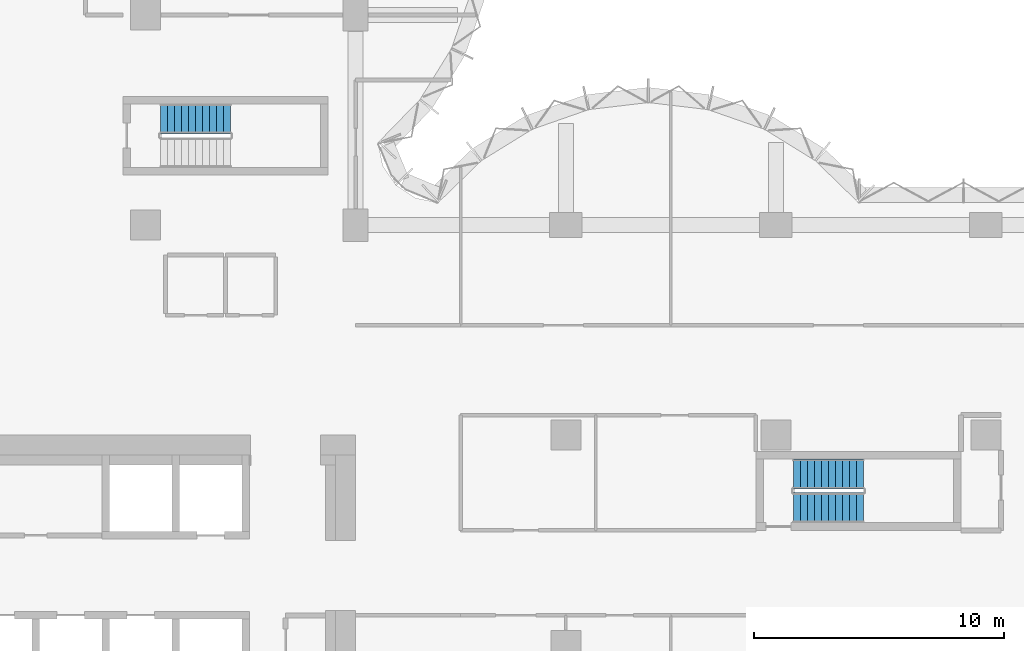
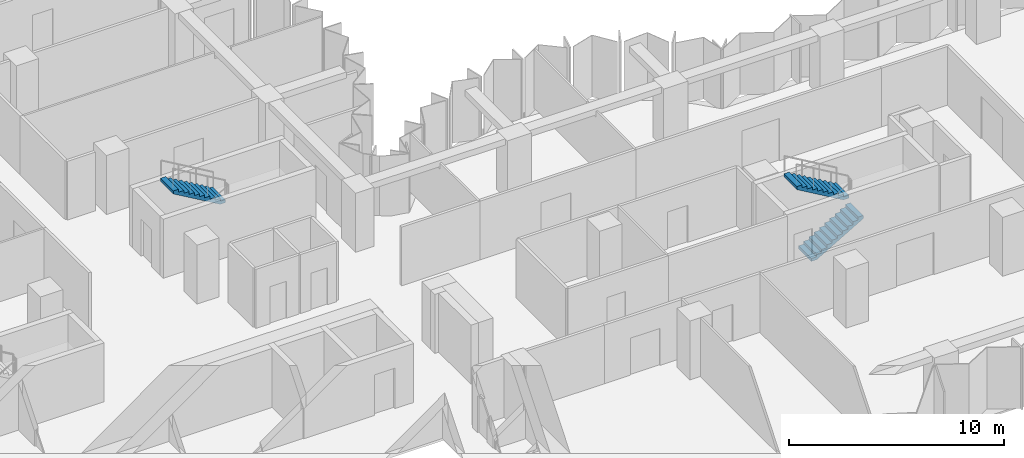
# One storey, part 11 of 13: 3 stair flights, 2 elements without a shape of their own.
"""IFC4 building model written with IfcOpenShell, lengths in metres."""

import ifcopenshell
import ifcopenshell.guid

model = None  # the IFC model being written
_history = None  # IfcOwnerHistory: only IFC2X3 demands one
_inside = {}  # id of a spatial element -> (the spatial element, [elements in it])
_under = {}  # id of a project, library or spatial element -> (it, [spatial elements below it])
_declared = {}  # id of a project -> (the project, [libraries it declares])
_typed = {}  # id of a type object -> (the type object, [elements of that type])
_made_of = {}  # id of a material, layer set ... -> (it, [elements and type objects made of it])


def new_model(schema):
    """Start an empty IFC model of exactly this schema.

    Asked for "IFC4X3", IfcOpenShell would pick the latest addendum, in which some entities
    have other attributes; the version numbers below select the first issue.
    IFC2X3 requires an IfcOwnerHistory on every rooted entity: one is made here for all.
    """
    global model, _history
    if schema == "IFC4X3":
        model = ifcopenshell.file(schema_version=(4, 3, 0, 0))
    else:
        model = ifcopenshell.file(schema=schema)
    _inside.clear()
    _under.clear()
    _declared.clear()
    _typed.clear()
    _made_of.clear()
    _history = None
    if model.schema == "IFC2X3":
        org = make("IfcOrganization", Name="unknown")
        user = make(
            "IfcPersonAndOrganization",
            ThePerson=make("IfcPerson", FamilyName="unknown"),
            TheOrganization=org,
        )
        app = make(
            "IfcApplication",
            ApplicationDeveloper=org,
            Version="unknown",
            ApplicationFullName="unknown",
            ApplicationIdentifier="unknown",
        )
        _history = make(
            "IfcOwnerHistory",
            OwningUser=user,
            OwningApplication=app,
            ChangeAction="ADDED",
            CreationDate=0,
        )
    return model


def make(cls, **values):
    """One entity of the class cls with the attributes given. An attribute that is None is left unset."""
    return model.create_entity(
        cls, **{name: value for name, value in values.items() if value is not None}
    )


def rooted(cls, **values):
    """An entity with a GlobalId (a new one), such as an element, a storey or a relation."""
    return make(cls, GlobalId=ifcopenshell.guid.new(), OwnerHistory=_history, **values)


def si_unit(unit_type, name, prefix=None):
    """IfcSIUnit, for example si_unit("LENGTHUNIT", "METRE", prefix="MILLI")."""
    return make("IfcSIUnit", UnitType=unit_type, Prefix=prefix, Name=name)


def assignment(units):
    """IfcUnitAssignment: the units of a project."""
    return None if units is None else make("IfcUnitAssignment", Units=units)


def point(xyz):
    """IfcCartesianPoint."""
    return None if xyz is None else make("IfcCartesianPoint", Coordinates=xyz)


def direction(xyz):
    """IfcDirection."""
    return None if xyz is None else make("IfcDirection", DirectionRatios=xyz)


def frame(location, z_axis=None, x_axis=None):
    """IfcAxis2Placement3D, a coordinate frame: its origin and axes. An axis left out is left unset."""
    return make(
        "IfcAxis2Placement3D",
        Location=point(location),
        Axis=direction(z_axis),
        RefDirection=direction(x_axis),
    )


def origin():
    """The frame at (0, 0, 0) with its axes left unset."""
    return frame((0.0, 0.0, 0.0))


def place(relative_to, where):
    """IfcLocalPlacement: puts the frame where relative to a parent placement (None: the world)."""
    return make(
        "IfcLocalPlacement", PlacementRelTo=relative_to, RelativePlacement=where
    )


def context(
    kind, dimensions, precision=None, world=None, true_north=None, identifier=None
):
    """IfcGeometricRepresentationContext, for example the 3D "Model" context."""
    return make(
        "IfcGeometricRepresentationContext",
        ContextIdentifier=identifier,
        ContextType=kind,
        CoordinateSpaceDimension=dimensions,
        Precision=precision,
        WorldCoordinateSystem=world,
        TrueNorth=true_north,
    )


def subcontext(parent, identifier, kind, view, scale=None):
    """IfcGeometricRepresentationSubContext, for example "Body" below "Model"."""
    return make(
        "IfcGeometricRepresentationSubContext",
        ContextIdentifier=identifier,
        ContextType=kind,
        ParentContext=parent,
        TargetScale=scale,
        TargetView=view,
    )


def project(units=None, contexts=None):
    """IfcProject with its units and contexts."""
    return rooted(
        "IfcProject",
        Name="project",
        RepresentationContexts=contexts,
        UnitsInContext=assignment(units),
    )


def spatial(cls, under=None, at=None, **own):
    """A site, building, storey or space (cls), placed at a placement, below another one or the project."""
    s = rooted(cls, ObjectPlacement=at, **own)
    if under is not None:
        _under.setdefault(under.id(), (under, []))[1].append(s)
    return s


def polyline(points):
    """IfcPolyline through the points."""
    return make("IfcPolyline", Points=[point(p) for p in points])


def outline(outer, holes=None, kind="AREA"):
    """IfcArbitraryClosedProfileDef: a profile drawn as a closed curve; with holes, ...WithVoids."""
    if holes is None:
        return make("IfcArbitraryClosedProfileDef", ProfileType=kind, OuterCurve=outer)
    return make(
        "IfcArbitraryProfileDefWithVoids",
        ProfileType=kind,
        OuterCurve=outer,
        InnerCurves=holes,
    )


def extrude(swept, where, along, depth):
    """IfcExtrudedAreaSolid: the profile swept, set in the frame where, extruded along a direction by depth."""
    return make(
        "IfcExtrudedAreaSolid",
        SweptArea=swept,
        Position=where,
        ExtrudedDirection=direction(along),
        Depth=depth,
    )


def shape(context_of_items, identifier, shape_type, items):
    """IfcShapeRepresentation: the items that make up one representation, for example the "Body"."""
    return make(
        "IfcShapeRepresentation",
        ContextOfItems=context_of_items,
        RepresentationIdentifier=identifier,
        RepresentationType=shape_type,
        Items=items,
    )


def material(Name=None, Category=None):
    """IfcMaterial."""
    return make("IfcMaterial", Name=Name, Category=Category)


def made_of(thing, what):
    """Note that an element or type object is made of a material, layer set ...; save() writes the relation."""
    if what is not None:
        _made_of.setdefault(what.id(), (what, []))[1].append(thing)
    return thing


def type_object(cls, material=None, **own):
    """A type object (cls), such as IfcWallType, which elements share."""
    return made_of(rooted(cls, **own), material)


def element(
    cls,
    number,
    at=None,
    inside=None,
    cuts=None,
    type_object=None,
    material=None,
    context=None,
    identifier="Body",
    shape_type=None,
    held_by="IfcProductDefinitionShape",
    body=None,
    shapes=None,
    **own,
):
    """One element of the class cls, such as IfcWall. Its Tag is "e" and its number.

    at: its placement. inside: the storey or other place that contains it. cuts: it is an
    opening in that element (IfcRelVoidsElement). A single representation is given by context,
    identifier, shape_type and body (its items); several are given by shapes. held_by: the class
    of the entity that holds the representations. save() writes the other relations.
    """
    e = rooted(cls, Tag="e%d" % number, ObjectPlacement=at, **own)
    if body is not None:
        shapes = [shape(context, identifier, shape_type, body)]
    if shapes is not None:
        e.Representation = make(held_by, Representations=shapes)
    if inside is not None:
        _inside.setdefault(inside.id(), (inside, []))[1].append(e)
    if cuts is not None:
        rooted(
            "IfcRelVoidsElement", RelatingBuildingElement=cuts, RelatedOpeningElement=e
        )
    if type_object is not None:
        _typed.setdefault(type_object.id(), (type_object, []))[1].append(e)
    return made_of(e, material)


def aggregate(whole, parts):
    """IfcRelAggregates: a whole, such as a stair, and the parts it consists of."""
    return rooted("IfcRelAggregates", RelatingObject=whole, RelatedObjects=parts)


def save(model, path):
    """Write the relations noted so far, then the file.

    IfcRelAggregates (storeys below a building ...), IfcRelContainedInSpatialStructure (elements
    in a storey), IfcRelDefinesByType, IfcRelAssociatesMaterial and IfcRelDeclares: one each for
    every whole, place, type object, material and project.
    """
    for whole, parts in _under.values():
        aggregate(whole, parts)
    for where, things in _inside.values():
        rooted(
            "IfcRelContainedInSpatialStructure",
            RelatedElements=things,
            RelatingStructure=where,
        )
    for kind, things in _typed.values():
        rooted("IfcRelDefinesByType", RelatedObjects=things, RelatingType=kind)
    for what, things in _made_of.values():
        rooted("IfcRelAssociatesMaterial", RelatedObjects=things, RelatingMaterial=what)
    for by, libraries in _declared.values():
        rooted("IfcRelDeclares", RelatingContext=by, RelatedDefinitions=libraries)
    model.write(path)


model = new_model("IFC4")

# Units and contexts
model_context = context("Model", 3, precision=1e-05, world=origin(), true_north=direction((0.0, 1.0)))
body_context = subcontext(model_context, "Body", "Model", "MODEL_VIEW")
ifc_project = project(units=[si_unit("LENGTHUNIT", "METRE"), si_unit("AREAUNIT", "SQUARE_METRE"), si_unit("VOLUMEUNIT", "CUBIC_METRE"), si_unit("PLANEANGLEUNIT", "RADIAN"), si_unit("MASSUNIT", "GRAM", prefix="KILO")], contexts=[model_context])

# Site, building, storey
site_placement = place(None, origin())
site = spatial("IfcSite", under=ifc_project, at=site_placement, CompositionType="ELEMENT")
building_placement = place(site_placement, origin())
building = spatial("IfcBuilding", under=site, at=building_placement, Name="Brevane Broadcast Tower", CompositionType="ELEMENT")
storey_placement = place(building_placement, frame((0.0, 0.0, 98.89990234375)))
storey = spatial("IfcBuildingStorey", under=building, at=storey_placement, Name="L23", CompositionType="ELEMENT", Elevation=98.89990234375)

# Stair, stair flight
ifc_material = material(Name="Concrete C50/60", Category="concrete")
stair_type = type_object("IfcStairType", Name="Exit stair 22 risers", PredefinedType="HALF_TURN_STAIR", material=ifc_material)
stair_1_placement = place(storey_placement, origin())
stair_1 = element("IfcStair", 1, at=stair_1_placement, inside=storey, type_object=stair_type, Name="L23 Exit stair ST-3", PredefinedType="HALF_TURN_STAIR")
stair_flight_type = type_object("IfcStairFlightType", Name="Exit stair flight 22 risers", PredefinedType="STRAIGHT", material=ifc_material)
stair_flight_1_placement = place(storey_placement, frame((20.199951171875, 29.449951171875, 1.800048828125), z_axis=(0.0, 0.0, 1.0), x_axis=(-1.0, 0.0, 0.0)))
stair_flight_1 = element("IfcStairFlight", 2, at=stair_flight_1_placement, type_object=stair_flight_type, Name="ST-3 flight 2", NumberOfRisers=11, NumberOfTreads=10, PredefinedType="STRAIGHT", RiserHeight=0.163636364, TreadLength=0.28, context=body_context, shape_type="SweptSolid", body=[
    extrude(outline(polyline([(0.0, 0.0), (0.0, 0.16357421875), (0.280029296875, 0.16357421875), (0.280029296875, 0.327392578125), (0.56005859375, 0.327392578125), (0.56005859375, 0.490966796875), (0.840087890625, 0.490966796875), (0.840087890625, 0.654541015625), (1.1201171875, 0.654541015625), (1.1201171875, 0.818115234375), (1.39990234375, 0.818115234375), (1.39990234375, 0.98193359375), (1.679931640625, 0.98193359375), (1.679931640625, 1.1455078125), (1.9599609375, 1.1455078125), (1.9599609375, 1.30908203125), (2.239990234375, 1.30908203125), (2.239990234375, 1.47265625), (2.52001953125, 1.47265625), (2.52001953125, 1.636474609375), (2.800048828125, 1.636474609375), (2.800048828125, 1.800048828125), (2.800048828125, 1.462646484375), (0.297119140625, 0.0), (0.0, 0.0)])), frame((0.0, 0.60009765625, 0.0), z_axis=(0.0, -1.0, 0.0), x_axis=(1.0, 0.0, 0.0)), (0.0, 0.0, 1.0), 1.199951171875),
])
aggregate(stair_1, [stair_flight_1])

# Stair, stair flights
stair_2_placement = place(storey_placement, origin())
stair_2 = element("IfcStair", 3, at=stair_2_placement, inside=storey, type_object=stair_type, Name="L23 Exit stair ST-4", PredefinedType="HALF_TURN_STAIR")
stair_flight_2_placement = place(storey_placement, frame((42.699951171875, 13.89990234375, 0.0), z_axis=(0.0, 0.0, 1.0), x_axis=(1.0, 0.0, 0.0)))
stair_flight_2 = element("IfcStairFlight", 4, at=stair_flight_2_placement, type_object=stair_flight_type, Name="ST-4 flight 1", NumberOfRisers=11, NumberOfTreads=10, PredefinedType="STRAIGHT", RiserHeight=0.163636364, TreadLength=0.28, context=body_context, shape_type="SweptSolid", body=[
    extrude(outline(polyline([(0.0, 0.0), (0.0, 0.16357421875), (0.280029296875, 0.16357421875), (0.280029296875, 0.327392578125), (0.56005859375, 0.327392578125), (0.56005859375, 0.490966796875), (0.840087890625, 0.490966796875), (0.840087890625, 0.654541015625), (1.1201171875, 0.654541015625), (1.1201171875, 0.818115234375), (1.39990234375, 0.818115234375), (1.39990234375, 0.98193359375), (1.679931640625, 0.98193359375), (1.679931640625, 1.1455078125), (1.9599609375, 1.1455078125), (1.9599609375, 1.30908203125), (2.239990234375, 1.30908203125), (2.239990234375, 1.47265625), (2.52001953125, 1.47265625), (2.52001953125, 1.636474609375), (2.800048828125, 1.636474609375), (2.800048828125, 1.800048828125), (2.800048828125, 1.462646484375), (0.297119140625, 0.0), (0.0, 0.0)])), frame((0.0, 0.60009765625, 0.0), z_axis=(0.0, -1.0, 0.0), x_axis=(1.0, 0.0, 0.0)), (0.0, 0.0, 1.0), 1.199951171875),
])
stair_flight_3_placement = place(storey_placement, frame((45.5, 15.25, 1.800048828125), z_axis=(0.0, 0.0, 1.0), x_axis=(-1.0, 0.0, 0.0)))
stair_flight_3 = element("IfcStairFlight", 5, at=stair_flight_3_placement, type_object=stair_flight_type, Name="ST-4 flight 2", NumberOfRisers=11, NumberOfTreads=10, PredefinedType="STRAIGHT", RiserHeight=0.163636364, TreadLength=0.28, context=body_context, shape_type="SweptSolid", body=[
    extrude(outline(polyline([(0.0, 0.0), (0.0, 0.16357421875), (0.280029296875, 0.16357421875), (0.280029296875, 0.327392578125), (0.56005859375, 0.327392578125), (0.56005859375, 0.490966796875), (0.840087890625, 0.490966796875), (0.840087890625, 0.654541015625), (1.1201171875, 0.654541015625), (1.1201171875, 0.818115234375), (1.39990234375, 0.818115234375), (1.39990234375, 0.98193359375), (1.679931640625, 0.98193359375), (1.679931640625, 1.1455078125), (1.9599609375, 1.1455078125), (1.9599609375, 1.30908203125), (2.239990234375, 1.30908203125), (2.239990234375, 1.47265625), (2.52001953125, 1.47265625), (2.52001953125, 1.636474609375), (2.800048828125, 1.636474609375), (2.800048828125, 1.800048828125), (2.800048828125, 1.462646484375), (0.297119140625, 0.0), (0.0, 0.0)])), frame((0.0, 0.60009765625, 0.0), z_axis=(0.0, -1.0, 0.0), x_axis=(1.0, 0.0, 0.0)), (0.0, 0.0, 1.0), 1.199951171875),
])
aggregate(stair_2, [stair_flight_2, stair_flight_3])

save(model, "model.ifc")
